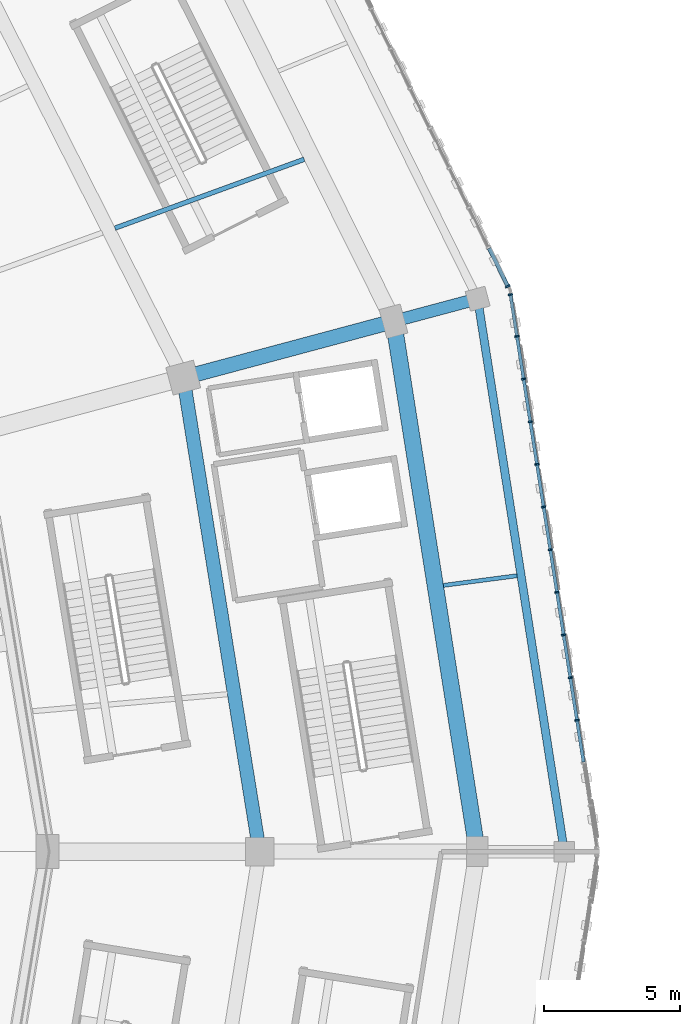
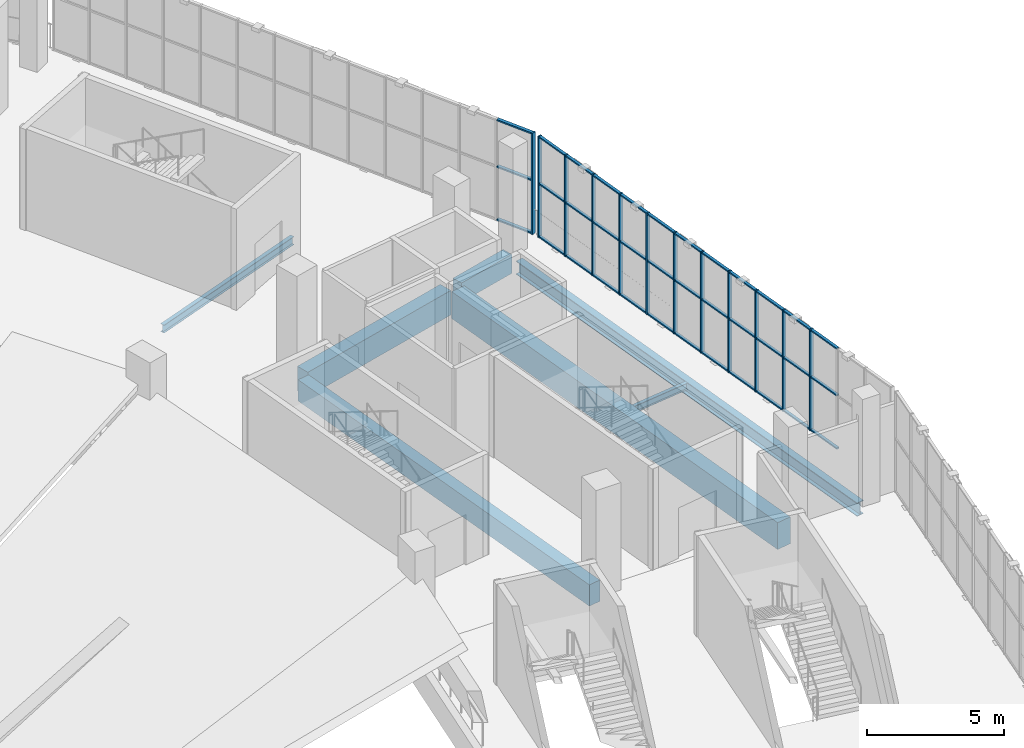
# One storey, part 41 of 183: 48 members, 7 beams, 2 elements without a shape of their own.
"""IFC4 building model written with IfcOpenShell, lengths in metres."""

from ifc_helpers import new_model, si_unit, direction, frame, origin, origin_2d, place, context, subcontext, project, spatial, rectangle, i_section, extrude, material, material_profile, profile_set, type_object, element, aggregate, save


model = new_model("IFC4")

# Units and contexts
model_context = context("Model", 3, precision=1e-05, world=origin(), true_north=direction((0.0, 1.0)))
body_context = subcontext(model_context, "Body", "Model", "MODEL_VIEW")
ifc_project = project(units=[si_unit("LENGTHUNIT", "METRE"), si_unit("AREAUNIT", "SQUARE_METRE"), si_unit("VOLUMEUNIT", "CUBIC_METRE"), si_unit("PLANEANGLEUNIT", "RADIAN"), si_unit("MASSUNIT", "GRAM", prefix="KILO")], contexts=[model_context])

# Site, building, storey
site_placement = place(None, origin())
site = spatial("IfcSite", under=ifc_project, at=site_placement, CompositionType="ELEMENT")
building_placement = place(site_placement, origin())
building = spatial("IfcBuilding", under=site, at=building_placement, Name="Zevraka Park Crest Stadium", CompositionType="ELEMENT")
storey_placement = place(building_placement, frame((0.0, 0.0, 5.39990234375)))
storey = spatial("IfcBuildingStorey", under=building, at=storey_placement, Name="L01", CompositionType="ELEMENT", Elevation=5.39990234375)

# Beams
ifc_material_1 = material(Name="Concrete C40/50", Category="concrete")
ifc_material_profile_1 = material_profile(ifc_material_1, rectangle(XDim=0.550048828125, YDim=1.10009765625, at=origin_2d()), Name="RC 1100x550")
ifc_profile_set_1 = profile_set([ifc_material_profile_1], Name="Concrete C40/50")
beam_type_1 = type_object("IfcBeamType", Name="BG02", PredefinedType="BEAM", material=ifc_profile_set_1)
beam_1_placement = place(storey_placement, frame((191.785888671875, 109.4970703125, -0.559814453125), z_axis=(0.965968812251, 0.258658565986, 0.0), x_axis=(-0.258658565986, 0.965968812251, 0.0)))
element("IfcBeam", 1, at=beam_1_placement, inside=storey, type_object=beam_type_1, Name="Radial Girder BG02 L01-CD-01", PredefinedType="BEAM", context=body_context, shape_type="SweptSolid", body=[
    extrude(rectangle(XDim=0.550048828125, YDim=1.10009765625, at=origin_2d()), origin(), (0.0, 0.0, 1.0), 7.39892578125),
])
ifc_material_2 = material(Name="Concrete C40/50", Category="concrete")
ifc_material_profile_2 = material_profile(ifc_material_2, rectangle(XDim=0.449951171875, YDim=0.85009765625, at=origin_2d()), Name="RC 850x450")
ifc_profile_set_2 = profile_set([ifc_material_profile_2], Name="Concrete C40/50")
beam_type_2 = type_object("IfcBeamType", Name="BG03", PredefinedType="BEAM", material=ifc_profile_set_2)
beam_2_placement = place(storey_placement, frame((199.512939453125, 111.56689453125, -0.434814453125), z_axis=(0.965992888406, 0.258568636051, 0.0), x_axis=(-0.258568636051, 0.965992888406, 0.0)))
element("IfcBeam", 2, at=beam_2_placement, inside=storey, type_object=beam_type_2, Name="Radial Girder BG03 L01-DE-01", PredefinedType="BEAM", context=body_context, shape_type="SweptSolid", body=[
    extrude(rectangle(XDim=0.449951171875, YDim=0.85009765625, at=origin_2d()), origin(), (0.0, 0.0, 1.0), 2.599365234375),
])

# Curtain wall, members
ifc_material_3 = material(Name="Anodised architectural aluminium and laminated safety glass", Category="aluminium")
curtain_wall_type_1 = type_object("IfcCurtainWallType", Name="CW01", PredefinedType="NOTDEFINED", material=ifc_material_3)
curtain_wall_1_placement = place(storey_placement, origin())
curtain_wall_1 = element("IfcCurtainWall", 3, at=curtain_wall_1_placement, inside=storey, type_object=curtain_wall_type_1, Name="Unitised Ring Curtain Wall CW01 L01-00", PredefinedType="NOTDEFINED")
ifc_material_4 = material(Name="Anodised architectural aluminium", Category="aluminium")
ifc_material_profile_3 = material_profile(ifc_material_4, rectangle(XDim=0.159912109375, YDim=0.06005859375, at=origin_2d()), Name="ALU MULLION 160x60")
ifc_profile_set_3 = profile_set([ifc_material_profile_3], Name="Anodised architectural aluminium")
member_type_1 = type_object("IfcMemberType", Name="CM01", PredefinedType="MULLION", material=ifc_profile_set_3)
member_1_placement = place(storey_placement, frame((205.9638671875, 96.828369140625, 0.0), z_axis=(0.0, 0.0, 1.0), x_axis=(-0.987996544735, -0.154475977394, 0.0)))
member_1 = element("IfcMember", 4, at=member_1_placement, type_object=member_type_1, Name="CW01 mullion 4", PredefinedType="MULLION", context=body_context, shape_type="SweptSolid", body=[
    extrude(rectangle(XDim=0.159912109375, YDim=0.06005859375, at=origin_2d()), origin(), (0.0, 0.0, 1.0), 4.52001953125),
])
member_2_placement = place(storey_placement, frame((205.71875, 98.395751953125, 0.0), z_axis=(0.0, 0.0, 1.0), x_axis=(-0.987996544735, -0.154475977394, 0.0)))
member_2 = element("IfcMember", 5, at=member_2_placement, type_object=member_type_1, Name="CW01 mullion 5", PredefinedType="MULLION", context=body_context, shape_type="SweptSolid", body=[
    extrude(rectangle(XDim=0.159912109375, YDim=0.06005859375, at=origin_2d()), origin(), (0.0, 0.0, 1.0), 4.52001953125),
])
member_3_placement = place(storey_placement, frame((205.4736328125, 99.96337890625, 0.0), z_axis=(0.0, 0.0, 1.0), x_axis=(-0.987996544735, -0.154475977394, 0.0)))
member_3 = element("IfcMember", 6, at=member_3_placement, type_object=member_type_1, Name="CW01 mullion 6", PredefinedType="MULLION", context=body_context, shape_type="SweptSolid", body=[
    extrude(rectangle(XDim=0.159912109375, YDim=0.06005859375, at=origin_2d()), origin(), (0.0, 0.0, 1.0), 4.52001953125),
])
member_4_placement = place(storey_placement, frame((205.228515625, 101.53076171875, 0.0), z_axis=(0.0, 0.0, 1.0), x_axis=(-0.987996544735, -0.154475977394, 0.0)))
member_4 = element("IfcMember", 7, at=member_4_placement, type_object=member_type_1, Name="CW01 mullion 7", PredefinedType="MULLION", context=body_context, shape_type="SweptSolid", body=[
    extrude(rectangle(XDim=0.159912109375, YDim=0.06005859375, at=origin_2d()), origin(), (0.0, 0.0, 1.0), 4.52001953125),
])
member_5_placement = place(storey_placement, frame((204.9833984375, 103.09814453125, 0.0), z_axis=(0.0, 0.0, 1.0), x_axis=(-0.987996544735, -0.154475977394, 0.0)))
member_5 = element("IfcMember", 8, at=member_5_placement, type_object=member_type_1, Name="CW01 mullion 8", PredefinedType="MULLION", context=body_context, shape_type="SweptSolid", body=[
    extrude(rectangle(XDim=0.159912109375, YDim=0.06005859375, at=origin_2d()), origin(), (0.0, 0.0, 1.0), 4.52001953125),
])
member_6_placement = place(storey_placement, frame((204.73828125, 104.665771484375, 0.0), z_axis=(0.0, 0.0, 1.0), x_axis=(-0.987996544735, -0.154475977394, 0.0)))
member_6 = element("IfcMember", 9, at=member_6_placement, type_object=member_type_1, Name="CW01 mullion 9", PredefinedType="MULLION", context=body_context, shape_type="SweptSolid", body=[
    extrude(rectangle(XDim=0.159912109375, YDim=0.06005859375, at=origin_2d()), origin(), (0.0, 0.0, 1.0), 4.52001953125),
])
member_7_placement = place(storey_placement, frame((204.493408203125, 106.233154296875, 0.0), z_axis=(0.0, 0.0, 1.0), x_axis=(-0.987996544735, -0.154475977394, 0.0)))
member_7 = element("IfcMember", 10, at=member_7_placement, type_object=member_type_1, Name="CW01 mullion 10", PredefinedType="MULLION", context=body_context, shape_type="SweptSolid", body=[
    extrude(rectangle(XDim=0.159912109375, YDim=0.06005859375, at=origin_2d()), origin(), (0.0, 0.0, 1.0), 4.52001953125),
])
member_8_placement = place(storey_placement, frame((204.248291015625, 107.800537109375, 0.0), z_axis=(0.0, 0.0, 1.0), x_axis=(-0.987996544735, -0.154475977394, 0.0)))
member_8 = element("IfcMember", 11, at=member_8_placement, type_object=member_type_1, Name="CW01 mullion 11", PredefinedType="MULLION", context=body_context, shape_type="SweptSolid", body=[
    extrude(rectangle(XDim=0.159912109375, YDim=0.06005859375, at=origin_2d()), origin(), (0.0, 0.0, 1.0), 4.52001953125),
])
member_9_placement = place(storey_placement, frame((204.003173828125, 109.3681640625, 0.0), z_axis=(0.0, 0.0, 1.0), x_axis=(-0.987996544735, -0.154475977394, 0.0)))
member_9 = element("IfcMember", 12, at=member_9_placement, type_object=member_type_1, Name="CW01 mullion 12", PredefinedType="MULLION", context=body_context, shape_type="SweptSolid", body=[
    extrude(rectangle(XDim=0.159912109375, YDim=0.06005859375, at=origin_2d()), origin(), (0.0, 0.0, 1.0), 4.52001953125),
])
member_10_placement = place(storey_placement, frame((203.758056640625, 110.935546875, 0.0), z_axis=(0.0, 0.0, 1.0), x_axis=(-0.987996544735, -0.154475977394, 0.0)))
member_10 = element("IfcMember", 13, at=member_10_placement, type_object=member_type_1, Name="CW01 mullion 13", PredefinedType="MULLION", context=body_context, shape_type="SweptSolid", body=[
    extrude(rectangle(XDim=0.159912109375, YDim=0.06005859375, at=origin_2d()), origin(), (0.0, 0.0, 1.0), 4.52001953125),
])
member_11_placement = place(storey_placement, frame((203.517578125, 112.473388671875, 0.0), z_axis=(0.0, 0.0, 1.0), x_axis=(-0.987996544735, -0.154475977394, 0.0)))
member_11 = element("IfcMember", 14, at=member_11_placement, type_object=member_type_1, Name="CW01 mullion 14", PredefinedType="MULLION", context=body_context, shape_type="SweptSolid", body=[
    extrude(rectangle(XDim=0.159912109375, YDim=0.06005859375, at=origin_2d()), origin(), (0.0, 0.0, 1.0), 4.52001953125),
])

# Curtain wall, member
ifc_material_5 = material(Name="Anodised architectural aluminium and laminated safety glass", Category="aluminium")
curtain_wall_type_2 = type_object("IfcCurtainWallType", Name="CW02", PredefinedType="NOTDEFINED", material=ifc_material_5)
curtain_wall_2_placement = place(storey_placement, origin())
curtain_wall_2 = element("IfcCurtainWall", 15, at=curtain_wall_2_placement, inside=storey, type_object=curtain_wall_type_2, Name="Unitised Ring Curtain Wall CW02 L01-01", PredefinedType="NOTDEFINED")
ifc_material_6 = material(Name="Anodised architectural aluminium", Category="aluminium")
ifc_material_profile_4 = material_profile(ifc_material_6, rectangle(XDim=0.179931640625, YDim=0.06494140625, at=origin_2d()), Name="ALU MULLION 180x65")
ifc_profile_set_4 = profile_set([ifc_material_profile_4], Name="Anodised architectural aluminium")
member_type_2 = type_object("IfcMemberType", Name="CM02", PredefinedType="MULLION", material=ifc_profile_set_4)
member_12_placement = place(storey_placement, frame((203.421630859375, 112.773193359375, 0.0), z_axis=(0.0, 0.0, 1.0), x_axis=(-0.897252732312, -0.44151730924, 0.0)))
member_12 = element("IfcMember", 16, at=member_12_placement, type_object=member_type_2, Name="CW02 mullion 1", PredefinedType="MULLION", context=body_context, shape_type="SweptSolid", body=[
    extrude(rectangle(XDim=0.179931640625, YDim=0.06494140625, at=origin_2d()), origin(), (0.0, 0.0, 1.0), 4.52001953125),
])

# Member
ifc_material_7 = material(Name="Anodised architectural aluminium", Category="aluminium")
ifc_material_profile_5 = material_profile(ifc_material_7, rectangle(XDim=0.1201171875, YDim=0.06005859375, at=origin_2d()), Name="ALU TRANSOM 120x60")
ifc_profile_set_5 = profile_set([ifc_material_profile_5], Name="Anodised architectural aluminium")
member_type_3 = type_object("IfcMemberType", Name="CT01", PredefinedType="USERDEFINED", material=ifc_profile_set_5)
member_13_placement = place(storey_placement, frame((206.2041015625, 95.29052734375, 0.030029296875), z_axis=(-0.154328094427, 0.988019655306, 0.0), x_axis=(-0.988019655306, -0.154328094427, 0.0)))
member_13 = element("IfcMember", 17, at=member_13_placement, type_object=member_type_3, Name="CW01 transom 3.1", ObjectType="TRANSOM", PredefinedType="USERDEFINED", context=body_context, shape_type="SweptSolid", body=[
    extrude(rectangle(XDim=0.1201171875, YDim=0.06005859375, at=origin_2d()), origin(), (0.0, 0.0, 1.0), 1.526611328125),
])

member_14_placement = place(storey_placement, frame((206.2041015625, 95.29052734375, 2.400146484375), z_axis=(-0.154328094427, 0.988019655306, 0.0), x_axis=(-0.988019655306, -0.154328094427, 0.0)))
member_14 = element("IfcMember", 18, at=member_14_placement, type_object=member_type_3, Name="CW01 transom 3.2", ObjectType="TRANSOM", PredefinedType="USERDEFINED", context=body_context, shape_type="SweptSolid", body=[
    extrude(rectangle(XDim=0.1201171875, YDim=0.06005859375, at=origin_2d()), origin(), (0.0, 0.0, 1.0), 1.526611328125),
])

member_15_placement = place(storey_placement, frame((206.2041015625, 95.29052734375, 4.489990234375), z_axis=(-0.154328094427, 0.988019655306, 0.0), x_axis=(-0.988019655306, -0.154328094427, 0.0)))
member_15 = element("IfcMember", 19, at=member_15_placement, type_object=member_type_3, Name="CW01 transom 3.3", ObjectType="TRANSOM", PredefinedType="USERDEFINED", context=body_context, shape_type="SweptSolid", body=[
    extrude(rectangle(XDim=0.1201171875, YDim=0.06005859375, at=origin_2d()), origin(), (0.0, 0.0, 1.0), 1.526611328125),
])

member_16_placement = place(storey_placement, frame((205.959228515625, 96.85791015625, 0.030029296875), z_axis=(-0.154484205161, 0.987995258266, 0.0), x_axis=(-0.987995258266, -0.154484205161, 0.0)))
member_16 = element("IfcMember", 20, at=member_16_placement, type_object=member_type_3, Name="CW01 transom 4.1", ObjectType="TRANSOM", PredefinedType="USERDEFINED", context=body_context, shape_type="SweptSolid", body=[
    extrude(rectangle(XDim=0.1201171875, YDim=0.06005859375, at=origin_2d()), origin(), (0.0, 0.0, 1.0), 1.526611328125),
])

member_17_placement = place(storey_placement, frame((205.959228515625, 96.85791015625, 2.400146484375), z_axis=(-0.154484205161, 0.987995258266, 0.0), x_axis=(-0.987995258266, -0.154484205161, 0.0)))
member_17 = element("IfcMember", 21, at=member_17_placement, type_object=member_type_3, Name="CW01 transom 4.2", ObjectType="TRANSOM", PredefinedType="USERDEFINED", context=body_context, shape_type="SweptSolid", body=[
    extrude(rectangle(XDim=0.1201171875, YDim=0.06005859375, at=origin_2d()), origin(), (0.0, 0.0, 1.0), 1.526611328125),
])

member_18_placement = place(storey_placement, frame((205.959228515625, 96.85791015625, 4.489990234375), z_axis=(-0.154484205161, 0.987995258266, 0.0), x_axis=(-0.987995258266, -0.154484205161, 0.0)))
member_18 = element("IfcMember", 22, at=member_18_placement, type_object=member_type_3, Name="CW01 transom 4.3", ObjectType="TRANSOM", PredefinedType="USERDEFINED", context=body_context, shape_type="SweptSolid", body=[
    extrude(rectangle(XDim=0.1201171875, YDim=0.06005859375, at=origin_2d()), origin(), (0.0, 0.0, 1.0), 1.526611328125),
])

member_19_placement = place(storey_placement, frame((205.714111328125, 98.425537109375, 0.030029296875), z_axis=(-0.154508617741, 0.987991440774, 0.0), x_axis=(-0.987991440774, -0.154508617741, 0.0)))
member_19 = element("IfcMember", 23, at=member_19_placement, type_object=member_type_3, Name="CW01 transom 5.1", ObjectType="TRANSOM", PredefinedType="USERDEFINED", context=body_context, shape_type="SweptSolid", body=[
    extrude(rectangle(XDim=0.1201171875, YDim=0.06005859375, at=origin_2d()), origin(), (0.0, 0.0, 1.0), 1.5263671875),
])

member_20_placement = place(storey_placement, frame((205.714111328125, 98.425537109375, 2.400146484375), z_axis=(-0.154508617741, 0.987991440774, 0.0), x_axis=(-0.987991440774, -0.154508617741, 0.0)))
member_20 = element("IfcMember", 24, at=member_20_placement, type_object=member_type_3, Name="CW01 transom 5.2", ObjectType="TRANSOM", PredefinedType="USERDEFINED", context=body_context, shape_type="SweptSolid", body=[
    extrude(rectangle(XDim=0.1201171875, YDim=0.06005859375, at=origin_2d()), origin(), (0.0, 0.0, 1.0), 1.5263671875),
])

member_21_placement = place(storey_placement, frame((205.714111328125, 98.425537109375, 4.489990234375), z_axis=(-0.154508617741, 0.987991440774, 0.0), x_axis=(-0.987991440774, -0.154508617741, 0.0)))
member_21 = element("IfcMember", 25, at=member_21_placement, type_object=member_type_3, Name="CW01 transom 5.3", ObjectType="TRANSOM", PredefinedType="USERDEFINED", context=body_context, shape_type="SweptSolid", body=[
    extrude(rectangle(XDim=0.1201171875, YDim=0.06005859375, at=origin_2d()), origin(), (0.0, 0.0, 1.0), 1.5263671875),
])

member_22_placement = place(storey_placement, frame((205.468994140625, 99.992919921875, 0.030029296875), z_axis=(-0.154484205161, 0.987995258266, 0.0), x_axis=(-0.987995258266, -0.154484205161, 0.0)))
member_22 = element("IfcMember", 26, at=member_22_placement, type_object=member_type_3, Name="CW01 transom 6.1", ObjectType="TRANSOM", PredefinedType="USERDEFINED", context=body_context, shape_type="SweptSolid", body=[
    extrude(rectangle(XDim=0.1201171875, YDim=0.06005859375, at=origin_2d()), origin(), (0.0, 0.0, 1.0), 1.526611328125),
])

member_23_placement = place(storey_placement, frame((205.468994140625, 99.992919921875, 2.400146484375), z_axis=(-0.154484205161, 0.987995258266, 0.0), x_axis=(-0.987995258266, -0.154484205161, 0.0)))
member_23 = element("IfcMember", 27, at=member_23_placement, type_object=member_type_3, Name="CW01 transom 6.2", ObjectType="TRANSOM", PredefinedType="USERDEFINED", context=body_context, shape_type="SweptSolid", body=[
    extrude(rectangle(XDim=0.1201171875, YDim=0.06005859375, at=origin_2d()), origin(), (0.0, 0.0, 1.0), 1.526611328125),
])

member_24_placement = place(storey_placement, frame((205.468994140625, 99.992919921875, 4.489990234375), z_axis=(-0.154484205161, 0.987995258266, 0.0), x_axis=(-0.987995258266, -0.154484205161, 0.0)))
member_24 = element("IfcMember", 28, at=member_24_placement, type_object=member_type_3, Name="CW01 transom 6.3", ObjectType="TRANSOM", PredefinedType="USERDEFINED", context=body_context, shape_type="SweptSolid", body=[
    extrude(rectangle(XDim=0.1201171875, YDim=0.06005859375, at=origin_2d()), origin(), (0.0, 0.0, 1.0), 1.526611328125),
])

member_25_placement = place(storey_placement, frame((205.223876953125, 101.560302734375, 0.030029296875), z_axis=(-0.154484205161, 0.987995258266, 0.0), x_axis=(-0.987995258266, -0.154484205161, 0.0)))
member_25 = element("IfcMember", 29, at=member_25_placement, type_object=member_type_3, Name="CW01 transom 7.1", ObjectType="TRANSOM", PredefinedType="USERDEFINED", context=body_context, shape_type="SweptSolid", body=[
    extrude(rectangle(XDim=0.1201171875, YDim=0.06005859375, at=origin_2d()), origin(), (0.0, 0.0, 1.0), 1.526611328125),
])

member_26_placement = place(storey_placement, frame((205.223876953125, 101.560302734375, 2.400146484375), z_axis=(-0.154484205161, 0.987995258266, 0.0), x_axis=(-0.987995258266, -0.154484205161, 0.0)))
member_26 = element("IfcMember", 30, at=member_26_placement, type_object=member_type_3, Name="CW01 transom 7.2", ObjectType="TRANSOM", PredefinedType="USERDEFINED", context=body_context, shape_type="SweptSolid", body=[
    extrude(rectangle(XDim=0.1201171875, YDim=0.06005859375, at=origin_2d()), origin(), (0.0, 0.0, 1.0), 1.526611328125),
])

member_27_placement = place(storey_placement, frame((205.223876953125, 101.560302734375, 4.489990234375), z_axis=(-0.154484205161, 0.987995258266, 0.0), x_axis=(-0.987995258266, -0.154484205161, 0.0)))
member_27 = element("IfcMember", 31, at=member_27_placement, type_object=member_type_3, Name="CW01 transom 7.3", ObjectType="TRANSOM", PredefinedType="USERDEFINED", context=body_context, shape_type="SweptSolid", body=[
    extrude(rectangle(XDim=0.1201171875, YDim=0.06005859375, at=origin_2d()), origin(), (0.0, 0.0, 1.0), 1.526611328125),
])

member_28_placement = place(storey_placement, frame((204.978759765625, 103.1279296875, 0.030029296875), z_axis=(-0.154508617741, 0.987991440774, 0.0), x_axis=(-0.987991440774, -0.154508617741, 0.0)))
member_28 = element("IfcMember", 32, at=member_28_placement, type_object=member_type_3, Name="CW01 transom 8.1", ObjectType="TRANSOM", PredefinedType="USERDEFINED", context=body_context, shape_type="SweptSolid", body=[
    extrude(rectangle(XDim=0.1201171875, YDim=0.06005859375, at=origin_2d()), origin(), (0.0, 0.0, 1.0), 1.5263671875),
])

member_29_placement = place(storey_placement, frame((204.978759765625, 103.1279296875, 2.400146484375), z_axis=(-0.154508617741, 0.987991440774, 0.0), x_axis=(-0.987991440774, -0.154508617741, 0.0)))
member_29 = element("IfcMember", 33, at=member_29_placement, type_object=member_type_3, Name="CW01 transom 8.2", ObjectType="TRANSOM", PredefinedType="USERDEFINED", context=body_context, shape_type="SweptSolid", body=[
    extrude(rectangle(XDim=0.1201171875, YDim=0.06005859375, at=origin_2d()), origin(), (0.0, 0.0, 1.0), 1.5263671875),
])

member_30_placement = place(storey_placement, frame((204.978759765625, 103.1279296875, 4.489990234375), z_axis=(-0.154508617741, 0.987991440774, 0.0), x_axis=(-0.987991440774, -0.154508617741, 0.0)))
member_30 = element("IfcMember", 34, at=member_30_placement, type_object=member_type_3, Name="CW01 transom 8.3", ObjectType="TRANSOM", PredefinedType="USERDEFINED", context=body_context, shape_type="SweptSolid", body=[
    extrude(rectangle(XDim=0.1201171875, YDim=0.06005859375, at=origin_2d()), origin(), (0.0, 0.0, 1.0), 1.5263671875),
])

member_31_placement = place(storey_placement, frame((204.733642578125, 104.6953125, 0.030029296875), z_axis=(-0.154328094427, 0.988019655306, 0.0), x_axis=(-0.988019655306, -0.154328094427, 0.0)))
member_31 = element("IfcMember", 35, at=member_31_placement, type_object=member_type_3, Name="CW01 transom 9.1", ObjectType="TRANSOM", PredefinedType="USERDEFINED", context=body_context, shape_type="SweptSolid", body=[
    extrude(rectangle(XDim=0.1201171875, YDim=0.06005859375, at=origin_2d()), origin(), (0.0, 0.0, 1.0), 1.526611328125),
])

member_32_placement = place(storey_placement, frame((204.733642578125, 104.6953125, 2.400146484375), z_axis=(-0.154328094427, 0.988019655306, 0.0), x_axis=(-0.988019655306, -0.154328094427, 0.0)))
member_32 = element("IfcMember", 36, at=member_32_placement, type_object=member_type_3, Name="CW01 transom 9.2", ObjectType="TRANSOM", PredefinedType="USERDEFINED", context=body_context, shape_type="SweptSolid", body=[
    extrude(rectangle(XDim=0.1201171875, YDim=0.06005859375, at=origin_2d()), origin(), (0.0, 0.0, 1.0), 1.526611328125),
])

member_33_placement = place(storey_placement, frame((204.733642578125, 104.6953125, 4.489990234375), z_axis=(-0.154328094427, 0.988019655306, 0.0), x_axis=(-0.988019655306, -0.154328094427, 0.0)))
member_33 = element("IfcMember", 37, at=member_33_placement, type_object=member_type_3, Name="CW01 transom 9.3", ObjectType="TRANSOM", PredefinedType="USERDEFINED", context=body_context, shape_type="SweptSolid", body=[
    extrude(rectangle(XDim=0.1201171875, YDim=0.06005859375, at=origin_2d()), origin(), (0.0, 0.0, 1.0), 1.526611328125),
])

member_34_placement = place(storey_placement, frame((204.48876953125, 106.2626953125, 0.030029296875), z_axis=(-0.154484205161, 0.987995258266, 0.0), x_axis=(-0.987995258266, -0.154484205161, 0.0)))
member_34 = element("IfcMember", 38, at=member_34_placement, type_object=member_type_3, Name="CW01 transom 10.1", ObjectType="TRANSOM", PredefinedType="USERDEFINED", context=body_context, shape_type="SweptSolid", body=[
    extrude(rectangle(XDim=0.1201171875, YDim=0.06005859375, at=origin_2d()), origin(), (0.0, 0.0, 1.0), 1.526611328125),
])

member_35_placement = place(storey_placement, frame((204.48876953125, 106.2626953125, 2.400146484375), z_axis=(-0.154484205161, 0.987995258266, 0.0), x_axis=(-0.987995258266, -0.154484205161, 0.0)))
member_35 = element("IfcMember", 39, at=member_35_placement, type_object=member_type_3, Name="CW01 transom 10.2", ObjectType="TRANSOM", PredefinedType="USERDEFINED", context=body_context, shape_type="SweptSolid", body=[
    extrude(rectangle(XDim=0.1201171875, YDim=0.06005859375, at=origin_2d()), origin(), (0.0, 0.0, 1.0), 1.526611328125),
])

member_36_placement = place(storey_placement, frame((204.48876953125, 106.2626953125, 4.489990234375), z_axis=(-0.154484205161, 0.987995258266, 0.0), x_axis=(-0.987995258266, -0.154484205161, 0.0)))
member_36 = element("IfcMember", 40, at=member_36_placement, type_object=member_type_3, Name="CW01 transom 10.3", ObjectType="TRANSOM", PredefinedType="USERDEFINED", context=body_context, shape_type="SweptSolid", body=[
    extrude(rectangle(XDim=0.1201171875, YDim=0.06005859375, at=origin_2d()), origin(), (0.0, 0.0, 1.0), 1.526611328125),
])

member_37_placement = place(storey_placement, frame((204.24365234375, 107.830322265625, 0.030029296875), z_axis=(-0.154508617741, 0.987991440774, 0.0), x_axis=(-0.987991440774, -0.154508617741, 0.0)))
member_37 = element("IfcMember", 41, at=member_37_placement, type_object=member_type_3, Name="CW01 transom 11.1", ObjectType="TRANSOM", PredefinedType="USERDEFINED", context=body_context, shape_type="SweptSolid", body=[
    extrude(rectangle(XDim=0.1201171875, YDim=0.06005859375, at=origin_2d()), origin(), (0.0, 0.0, 1.0), 1.5263671875),
])

member_38_placement = place(storey_placement, frame((204.24365234375, 107.830322265625, 2.400146484375), z_axis=(-0.154508617741, 0.987991440774, 0.0), x_axis=(-0.987991440774, -0.154508617741, 0.0)))
member_38 = element("IfcMember", 42, at=member_38_placement, type_object=member_type_3, Name="CW01 transom 11.2", ObjectType="TRANSOM", PredefinedType="USERDEFINED", context=body_context, shape_type="SweptSolid", body=[
    extrude(rectangle(XDim=0.1201171875, YDim=0.06005859375, at=origin_2d()), origin(), (0.0, 0.0, 1.0), 1.5263671875),
])

member_39_placement = place(storey_placement, frame((204.24365234375, 107.830322265625, 4.489990234375), z_axis=(-0.154508617741, 0.987991440774, 0.0), x_axis=(-0.987991440774, -0.154508617741, 0.0)))
member_39 = element("IfcMember", 43, at=member_39_placement, type_object=member_type_3, Name="CW01 transom 11.3", ObjectType="TRANSOM", PredefinedType="USERDEFINED", context=body_context, shape_type="SweptSolid", body=[
    extrude(rectangle(XDim=0.1201171875, YDim=0.06005859375, at=origin_2d()), origin(), (0.0, 0.0, 1.0), 1.5263671875),
])

member_40_placement = place(storey_placement, frame((203.99853515625, 109.397705078125, 0.030029296875), z_axis=(-0.154484205161, 0.987995258266, 0.0), x_axis=(-0.987995258266, -0.154484205161, 0.0)))
member_40 = element("IfcMember", 44, at=member_40_placement, type_object=member_type_3, Name="CW01 transom 12.1", ObjectType="TRANSOM", PredefinedType="USERDEFINED", context=body_context, shape_type="SweptSolid", body=[
    extrude(rectangle(XDim=0.1201171875, YDim=0.06005859375, at=origin_2d()), origin(), (0.0, 0.0, 1.0), 1.526611328125),
])

member_41_placement = place(storey_placement, frame((203.99853515625, 109.397705078125, 2.400146484375), z_axis=(-0.154484205161, 0.987995258266, 0.0), x_axis=(-0.987995258266, -0.154484205161, 0.0)))
member_41 = element("IfcMember", 45, at=member_41_placement, type_object=member_type_3, Name="CW01 transom 12.2", ObjectType="TRANSOM", PredefinedType="USERDEFINED", context=body_context, shape_type="SweptSolid", body=[
    extrude(rectangle(XDim=0.1201171875, YDim=0.06005859375, at=origin_2d()), origin(), (0.0, 0.0, 1.0), 1.526611328125),
])

member_42_placement = place(storey_placement, frame((203.99853515625, 109.397705078125, 4.489990234375), z_axis=(-0.154484205161, 0.987995258266, 0.0), x_axis=(-0.987995258266, -0.154484205161, 0.0)))
member_42 = element("IfcMember", 46, at=member_42_placement, type_object=member_type_3, Name="CW01 transom 12.3", ObjectType="TRANSOM", PredefinedType="USERDEFINED", context=body_context, shape_type="SweptSolid", body=[
    extrude(rectangle(XDim=0.1201171875, YDim=0.06005859375, at=origin_2d()), origin(), (0.0, 0.0, 1.0), 1.526611328125),
])

member_43_placement = place(storey_placement, frame((203.75341796875, 110.965087890625, 0.030029296875), z_axis=(-0.154496320273, 0.987993363855, 0.0), x_axis=(-0.987993363855, -0.154496320273, 0.0)))
member_43 = element("IfcMember", 47, at=member_43_placement, type_object=member_type_3, Name="CW01 transom 13.1", ObjectType="TRANSOM", PredefinedType="USERDEFINED", context=body_context, shape_type="SweptSolid", body=[
    extrude(rectangle(XDim=0.1201171875, YDim=0.06005859375, at=origin_2d()), origin(), (0.0, 0.0, 1.0), 1.49658203125),
])

member_44_placement = place(storey_placement, frame((203.75341796875, 110.965087890625, 2.400146484375), z_axis=(-0.154496320273, 0.987993363855, 0.0), x_axis=(-0.987993363855, -0.154496320273, 0.0)))
member_44 = element("IfcMember", 48, at=member_44_placement, type_object=member_type_3, Name="CW01 transom 13.2", ObjectType="TRANSOM", PredefinedType="USERDEFINED", context=body_context, shape_type="SweptSolid", body=[
    extrude(rectangle(XDim=0.1201171875, YDim=0.06005859375, at=origin_2d()), origin(), (0.0, 0.0, 1.0), 1.49658203125),
])

member_45_placement = place(storey_placement, frame((203.75341796875, 110.965087890625, 4.489990234375), z_axis=(-0.154496320273, 0.987993363855, 0.0), x_axis=(-0.987993363855, -0.154496320273, 0.0)))
member_45 = element("IfcMember", 49, at=member_45_placement, type_object=member_type_3, Name="CW01 transom 13.3", ObjectType="TRANSOM", PredefinedType="USERDEFINED", context=body_context, shape_type="SweptSolid", body=[
    extrude(rectangle(XDim=0.1201171875, YDim=0.06005859375, at=origin_2d()), origin(), (0.0, 0.0, 1.0), 1.49658203125),
])

aggregate(curtain_wall_1, [member_1, member_2, member_3, member_4, member_5, member_6, member_7, member_8, member_9, member_10, member_11, member_13, member_14, member_15, member_16, member_17, member_18, member_19, member_20, member_21, member_22, member_23, member_24, member_25, member_26, member_27, member_28, member_29, member_30, member_31, member_32, member_33, member_34, member_35, member_36, member_37, member_38, member_39, member_40, member_41, member_42, member_43, member_44, member_45])

ifc_material_8 = material(Name="Anodised architectural aluminium", Category="aluminium")
ifc_material_profile_6 = material_profile(ifc_material_8, rectangle(XDim=0.139892578125, YDim=0.06494140625, at=origin_2d()), Name="ALU TRANSOM 140x65")
ifc_profile_set_6 = profile_set([ifc_material_profile_6], Name="Anodised architectural aluminium")
member_type_4 = type_object("IfcMemberType", Name="CT02", PredefinedType="USERDEFINED", material=ifc_profile_set_6)
member_46_placement = place(storey_placement, frame((203.4072265625, 112.80224609375, 0.03271484375), z_axis=(-0.441399645127, 0.897310622517, 0.0), x_axis=(-0.897310622517, -0.441399645127, 0.0)))
member_46 = element("IfcMember", 50, at=member_46_placement, type_object=member_type_4, Name="CW02 transom 1.1", ObjectType="TRANSOM", PredefinedType="USERDEFINED", context=body_context, shape_type="SweptSolid", body=[
    extrude(rectangle(XDim=0.139892578125, YDim=0.06494140625, at=origin_2d()), origin(), (0.0, 0.0, 1.0), 1.531005859375),
])

member_47_placement = place(storey_placement, frame((203.4072265625, 112.80224609375, 2.400146484375), z_axis=(-0.441399645127, 0.897310622517, 0.0), x_axis=(-0.897310622517, -0.441399645127, 0.0)))
member_47 = element("IfcMember", 51, at=member_47_placement, type_object=member_type_4, Name="CW02 transom 1.2", ObjectType="TRANSOM", PredefinedType="USERDEFINED", context=body_context, shape_type="SweptSolid", body=[
    extrude(rectangle(XDim=0.139892578125, YDim=0.06494140625, at=origin_2d()), origin(), (0.0, 0.0, 1.0), 1.531005859375),
])

member_48_placement = place(storey_placement, frame((203.4072265625, 112.80224609375, 4.487548828125), z_axis=(-0.441399645127, 0.897310622517, 0.0), x_axis=(-0.897310622517, -0.441399645127, 0.0)))
member_48 = element("IfcMember", 52, at=member_48_placement, type_object=member_type_4, Name="CW02 transom 1.3", ObjectType="TRANSOM", PredefinedType="USERDEFINED", context=body_context, shape_type="SweptSolid", body=[
    extrude(rectangle(XDim=0.139892578125, YDim=0.06494140625, at=origin_2d()), origin(), (0.0, 0.0, 1.0), 1.531005859375),
])

aggregate(curtain_wall_2, [member_12, member_46, member_47, member_48])

# Beams
ifc_material_9 = material(Name="Concrete C40/50", Category="concrete")
ifc_material_profile_7 = material_profile(ifc_material_9, rectangle(XDim=0.60009765625, YDim=1.199951171875, at=origin_2d()), Name="RC 1200x600")
ifc_profile_set_7 = profile_set([ifc_material_profile_7], Name="Concrete C40/50")
beam_type_3 = type_object("IfcBeamType", Name="RB01", PredefinedType="BEAM", material=ifc_profile_set_7)
beam_3_placement = place(storey_placement, frame((202.240966796875, 92.375, -0.60986328125), z_axis=(-0.155972486086, 0.987761400129, 0.0), x_axis=(-0.987761400129, -0.155972486086, 0.0)))
element("IfcBeam", 53, at=beam_3_placement, inside=storey, type_object=beam_type_3, Name="Ring Beam RB01 L01-D-00", PredefinedType="BEAM", context=body_context, shape_type="SweptSolid", body=[
    extrude(rectangle(XDim=0.60009765625, YDim=1.199951171875, at=origin_2d()), origin(), (0.0, 0.0, 1.0), 18.97119140625),
])
ifc_material_10 = material(Name="Concrete C40/50", Category="concrete")
ifc_material_profile_8 = material_profile(ifc_material_10, rectangle(XDim=0.5, YDim=0.949951171875, at=origin_2d()), Name="RC 950x500")
ifc_profile_set_8 = profile_set([ifc_material_profile_8], Name="Concrete C40/50")
beam_type_4 = type_object("IfcBeamType", Name="RB02", PredefinedType="BEAM", material=ifc_profile_set_8)
beam_4_placement = place(storey_placement, frame((194.239990234375, 92.375, -0.48486328125), z_axis=(-0.158975112778, 0.987282590507, 0.0), x_axis=(-0.987282590507, -0.158975112778, 0.0)))
element("IfcBeam", 54, at=beam_4_placement, inside=storey, type_object=beam_type_4, Name="Ring Beam RB02 L01-C-00", PredefinedType="BEAM", context=body_context, shape_type="SweptSolid", body=[
    extrude(rectangle(XDim=0.5, YDim=0.949951171875, at=origin_2d()), origin(), (0.0, 0.0, 1.0), 16.883544921875),
])
ifc_material_11 = material(Name="Steel S355", Category="steel")
ifc_material_profile_9 = material_profile(ifc_material_11, i_section(OverallWidth=0.300048828125, OverallDepth=0.60009765625, WebThickness=0.015380859375, FlangeThickness=0.030029296875, at=origin_2d()), Name="HEB 600")
ifc_profile_set_9 = profile_set([ifc_material_profile_9], Name="Steel S355")
beam_type_5 = type_object("IfcBeamType", Name="RB03", PredefinedType="BEAM", material=ifc_profile_set_9)
beam_5_placement = place(storey_placement, frame((205.446044921875, 92.345947265625, -0.60498046875), z_axis=(-0.154952716421, 0.987921887435, 0.0), x_axis=(-0.987921887435, -0.154952716421, 0.0)))
element("IfcBeam", 55, at=beam_5_placement, inside=storey, type_object=beam_type_5, Name="Ring Beam RB03 L01-E-00", PredefinedType="BEAM", context=body_context, shape_type="SweptSolid", body=[
    extrude(i_section(OverallWidth=0.300048828125, OverallDepth=0.60009765625, WebThickness=0.015380859375, FlangeThickness=0.030029296875, at=origin_2d()), origin(), (0.0, 0.0, 1.0), 19.864990234375),
])
ifc_material_12 = material(Name="Steel S355", Category="steel")
ifc_material_profile_10 = material_profile(ifc_material_12, i_section(OverallWidth=0.14990234375, OverallDepth=0.300048828125, WebThickness=0.007080078125, FlangeThickness=0.0107421875, at=origin_2d()), Name="IPE 300")
ifc_profile_set_10 = profile_set([ifc_material_profile_10], Name="Steel S355")
beam_type_6 = type_object("IfcBeamType", Name="SJ01", PredefinedType="JOIST", material=ifc_profile_set_10)
beam_6_placement = place(storey_placement, frame((201.053955078125, 101.782958984375, -0.4580078125), z_axis=(0.991431166896, 0.130630169971, 0.0), x_axis=(-0.130630169971, 0.991431166896, 0.0)))
element("IfcBeam", 56, at=beam_6_placement, inside=storey, type_object=beam_type_6, Name="Floor Joist SJ01 L01-DE-00-1", PredefinedType="JOIST", context=body_context, shape_type="SweptSolid", body=[
    extrude(i_section(OverallWidth=0.14990234375, OverallDepth=0.300048828125, WebThickness=0.007080078125, FlangeThickness=0.0107421875, at=origin_2d()), origin(), (0.0, 0.0, 1.0), 2.732421875),
])
ifc_material_13 = material(Name="Steel S355", Category="steel")
ifc_material_profile_11 = material_profile(ifc_material_13, i_section(OverallWidth=0.169921875, OverallDepth=0.360107421875, WebThickness=0.008056640625, FlangeThickness=0.0126953125, at=origin_2d()), Name="IPE 360")
ifc_profile_set_11 = profile_set([ifc_material_profile_11], Name="Steel S355")
beam_type_7 = type_object("IfcBeamType", Name="SJ02", PredefinedType="JOIST", material=ifc_profile_set_11)
beam_7_placement = place(storey_placement, frame((188.986083984375, 114.9130859375, -0.48779296875), z_axis=(0.939772225385, 0.341801352243, 0.0), x_axis=(-0.341801352243, 0.939772225385, 0.0)))
element("IfcBeam", 57, at=beam_7_placement, inside=storey, type_object=beam_type_7, Name="Floor Joist SJ02 L01-CD-01-1", PredefinedType="JOIST", context=body_context, shape_type="SweptSolid", body=[
    extrude(i_section(OverallWidth=0.169921875, OverallDepth=0.360107421875, WebThickness=0.008056640625, FlangeThickness=0.0126953125, at=origin_2d()), origin(), (0.0, 0.0, 1.0), 7.3984375),
])

save(model, "model.ifc")
